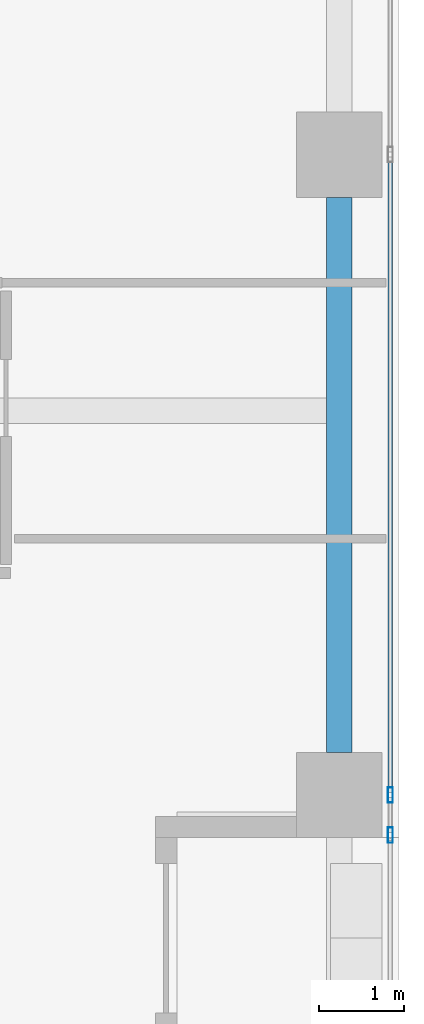
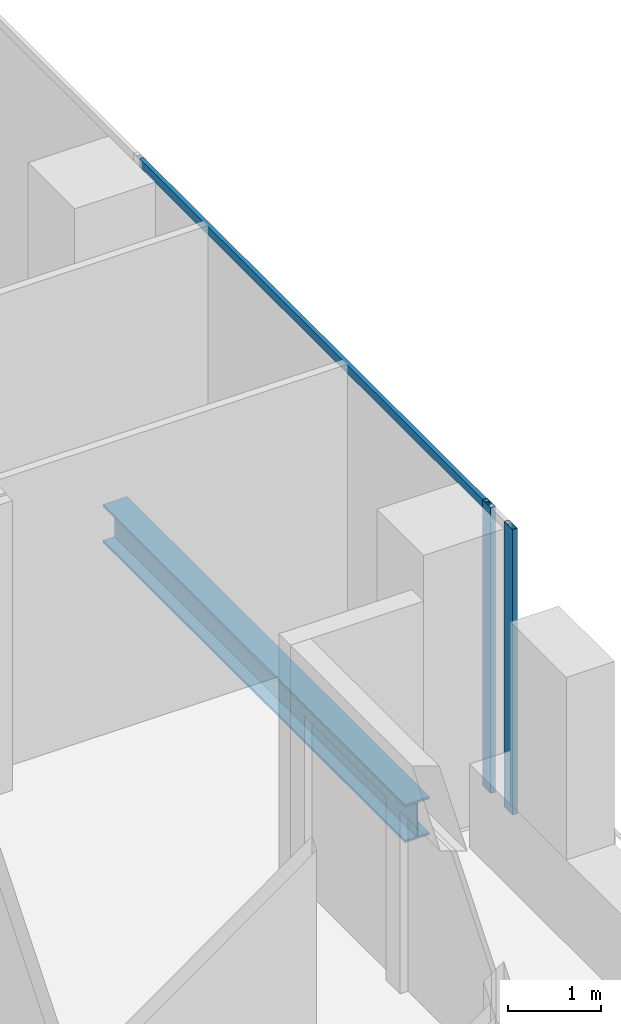
# One storey, part 18 of 38: 3 members, 1 beam, 1 element without a shape of its own.
"""IFC4 building model written with IfcOpenShell, lengths in metres."""

from ifc_helpers import new_model, si_unit, direction, frame, origin, origin_2d, place, context, subcontext, project, spatial, hollow_rectangle, i_section, extrude, source, transform, mapped, material, material_profile, profile_set, type_object, element, aggregate, save


model = new_model("IFC4")

# Units and contexts
model_context = context("Model", 3, precision=1e-05, world=origin(), true_north=direction((0.0, 1.0)))
body_context = subcontext(model_context, "Body", "Model", "MODEL_VIEW")
ifc_project = project(units=[si_unit("LENGTHUNIT", "METRE"), si_unit("AREAUNIT", "SQUARE_METRE"), si_unit("VOLUMEUNIT", "CUBIC_METRE"), si_unit("PLANEANGLEUNIT", "RADIAN"), si_unit("MASSUNIT", "GRAM", prefix="KILO")], contexts=[model_context])

# Site, building, storey
site_placement = place(None, origin())
site = spatial("IfcSite", under=ifc_project, at=site_placement, CompositionType="ELEMENT")
building_placement = place(site_placement, origin())
building = spatial("IfcBuilding", under=site, at=building_placement, Name="Khomas Fold Tower", CompositionType="ELEMENT")
storey_placement = place(building_placement, frame((0.0, 0.0, 172.699951171875)))
storey = spatial("IfcBuildingStorey", under=building, at=storey_placement, Name="L37", CompositionType="ELEMENT", Elevation=172.699951171875)

# Beam
ifc_material_1 = material(Name="Steel S355", Category="steel")
ifc_material_profile_1 = material_profile(ifc_material_1, i_section(OverallWidth=0.300048828125, OverallDepth=0.5, WebThickness=0.014404296875, FlangeThickness=0.028076171875, at=origin_2d()), Name="HE 500 B")
ifc_profile_set_1 = profile_set([ifc_material_profile_1], Name="Steel S355")
beam_type = type_object("IfcBeamType", Name="HE 500 B spandrel SB3", PredefinedType="SPANDREL", material=ifc_profile_set_1)
shared_shape_1 = source(origin(), body_context, "Body", "SweptSolid", [
    extrude(i_section(OverallWidth=0.300048828125, OverallDepth=0.5, WebThickness=0.014404296875, FlangeThickness=0.028076171875, at=origin_2d()), origin(), (0.0, 0.0, 1.0), 6.5),
])
beam_placement = place(storey_placement, frame((50.300048828125, 27.5, -0.5), z_axis=(0.0, 1.0, 0.0), x_axis=(-1.0, 0.0, 0.0)))
element("IfcBeam", 1, at=beam_placement, inside=storey, type_object=beam_type, Name="SB3", PredefinedType="SPANDREL", context=body_context, shape_type="MappedRepresentation", body=[
    mapped(shared_shape_1, transform((0.0, 0.0, 0.0))),
])

# Curtain wall, members
ifc_material_2 = material(Name="Aluminium framed double glazing", Category="aluminium")
curtain_wall_type = type_object("IfcCurtainWallType", Name="SK-Unitised clear-glass wall, office floors CW2", PredefinedType="NOTDEFINED", material=ifc_material_2)
curtain_wall_placement = place(storey_placement, origin())
curtain_wall = element("IfcCurtainWall", 2, at=curtain_wall_placement, inside=storey, type_object=curtain_wall_type, Name="CW2 run L37 08-1", PredefinedType="NOTDEFINED")
ifc_material_3 = material(Name="Aluminium", Category="aluminium")
ifc_material_profile_2 = material_profile(ifc_material_3, hollow_rectangle(XDim=0.06005859375, YDim=0.179931640625, WallThickness=0.00390625, at=origin_2d()), Name="SK-Unitised clear-glass wall, office floors mullion CW2-M")
ifc_profile_set_2 = profile_set([ifc_material_profile_2], Name="Aluminium")
member_type_1 = type_object("IfcMemberType", Name="SK-Unitised clear-glass wall, office floors mullion CW2-M", PredefinedType="MULLION", material=ifc_profile_set_2)
shared_shape_2 = source(origin(), body_context, "Body", "SweptSolid", [
    extrude(hollow_rectangle(XDim=0.06005859375, YDim=0.179931640625, WallThickness=0.00390625, at=origin_2d()), origin(), (0.0, 0.0, 1.0), 3.75),
])
member_1_placement = place(storey_placement, frame((50.89990234375, 26.530029296875, 0.0), z_axis=(0.0, 0.0, 1.0), x_axis=(-1.0, 0.0, 0.0)))
member_1 = element("IfcMember", 3, at=member_1_placement, type_object=member_type_1, Name="CW2 mullion 1", PredefinedType="MULLION", context=body_context, shape_type="MappedRepresentation", body=[
    mapped(shared_shape_2, transform((0.0, 0.0, 0.0))),
])
member_2_placement = place(storey_placement, frame((50.89990234375, 27.0, 0.0), z_axis=(0.0, 0.0, 1.0), x_axis=(-1.0, 0.0, 0.0)))
member_2 = element("IfcMember", 4, at=member_2_placement, type_object=member_type_1, Name="CW2 mullion 2", PredefinedType="MULLION", context=body_context, shape_type="MappedRepresentation", body=[
    mapped(shared_shape_2, transform((0.0, 0.0, 0.0))),
])
ifc_material_4 = material(Name="Aluminium", Category="aluminium")
ifc_material_profile_3 = material_profile(ifc_material_4, hollow_rectangle(XDim=0.050048828125, YDim=0.110107421875, WallThickness=0.00390625, at=origin_2d()), Name="SK-Unitised clear-glass wall, office floors transom CW2-T")
ifc_profile_set_3 = profile_set([ifc_material_profile_3], Name="Aluminium")
member_type_2 = type_object("IfcMemberType", Name="SK-Unitised clear-glass wall, office floors transom CW2-T", PredefinedType="USERDEFINED", material=ifc_profile_set_3)
shared_shape_3 = source(origin(), body_context, "Body", "SweptSolid", [
    extrude(hollow_rectangle(XDim=0.050048828125, YDim=0.110107421875, WallThickness=0.00390625, at=origin_2d()), origin(), (0.0, 0.0, 1.0), 7.43994140625),
])
member_3_placement = place(storey_placement, frame((50.89990234375, 27.030029296875, 3.695068359375), z_axis=(0.0, 1.0, 0.0), x_axis=(-1.0, 0.0, 0.0)))
member_3 = element("IfcMember", 5, at=member_3_placement, type_object=member_type_2, Name="CW2 transom 2", ObjectType="TRANSOM", PredefinedType="USERDEFINED", context=body_context, shape_type="MappedRepresentation", body=[
    mapped(shared_shape_3, transform((0.0, 0.0, 0.0))),
])
aggregate(curtain_wall, [member_1, member_2, member_3])

save(model, "model.ifc")
